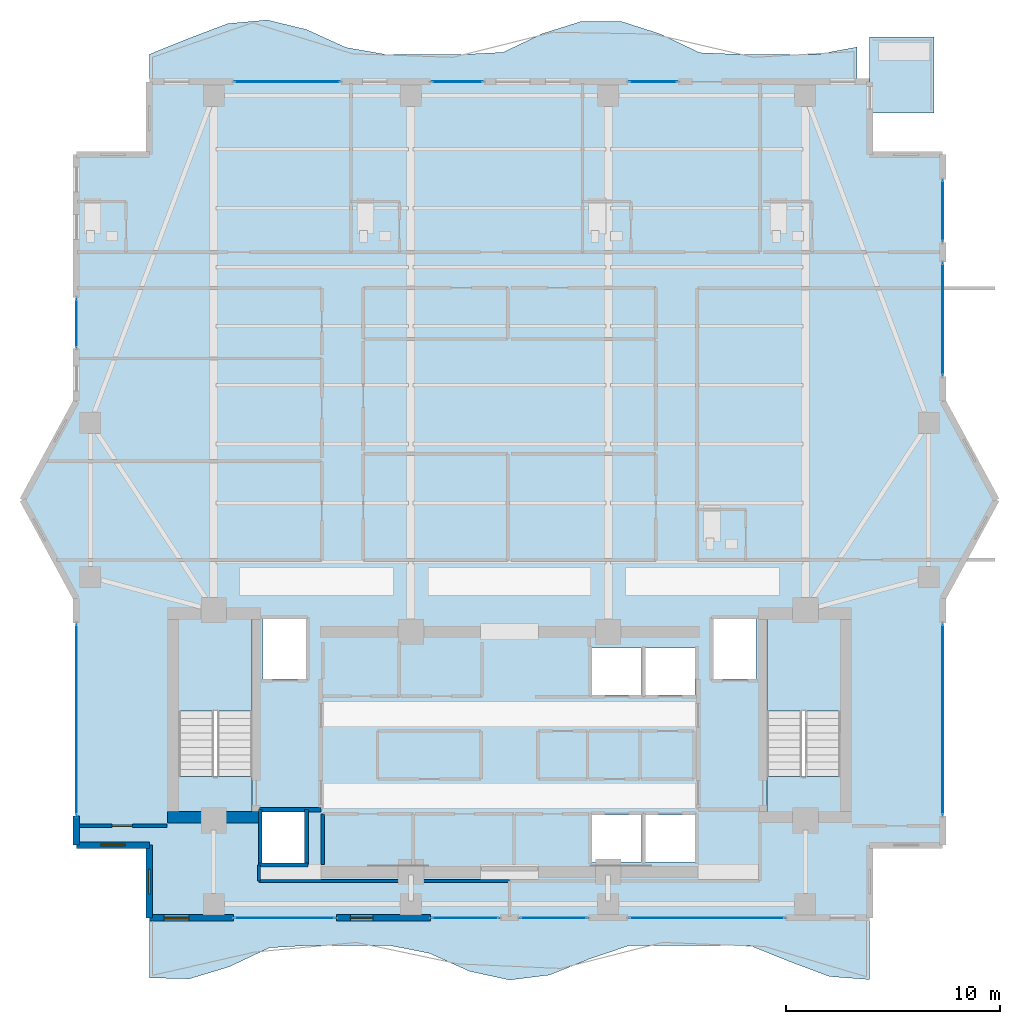
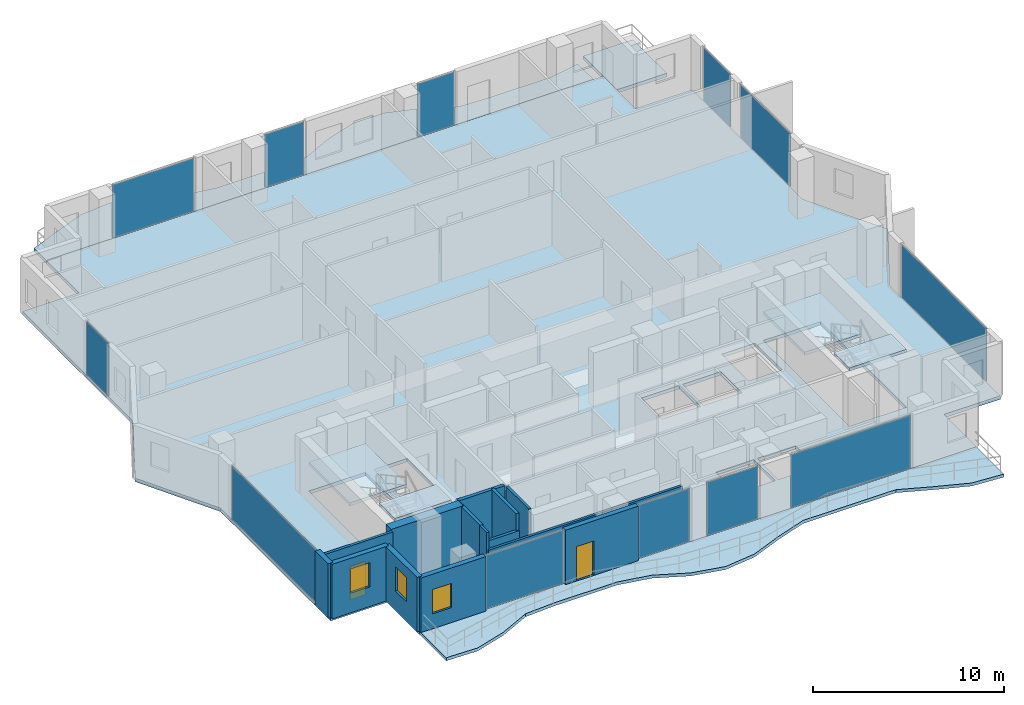
# One storey, part 16 of 24: 14 walls, 12 plates, 8 slabs, 3 windows, 2 doors, 5 openings, 14 elements without a shape of their own.
"""IFC4 building model written with IfcOpenShell, lengths in metres."""

from ifc_helpers import new_model, si_unit, direction, frame, frame_2d, origin, origin_2d, place, context, subcontext, project, spatial, polyline, rectangle, outline, extrude, material, layer, layer_set, type_object, element, fill, aggregate, save


model = new_model("IFC4")

# Units and contexts
model_context = context("Model", 3, precision=1e-05, world=origin(), true_north=direction((0.0, 1.0)))
body_context = subcontext(model_context, "Body", "Model", "MODEL_VIEW")
ifc_project = project(units=[si_unit("LENGTHUNIT", "METRE"), si_unit("AREAUNIT", "SQUARE_METRE"), si_unit("VOLUMEUNIT", "CUBIC_METRE"), si_unit("PLANEANGLEUNIT", "RADIAN"), si_unit("MASSUNIT", "GRAM", prefix="KILO")], contexts=[model_context])

# Site, building, storey
site_placement = place(None, origin())
site = spatial("IfcSite", under=ifc_project, at=site_placement, CompositionType="ELEMENT")
building_placement = place(site_placement, origin())
building = spatial("IfcBuilding", under=site, at=building_placement, Name="Zuhayl Quay Hotel", CompositionType="ELEMENT")
storey_placement = place(building_placement, frame((0.0, 0.0, 269.25)))
storey = spatial("IfcBuildingStorey", under=building, at=storey_placement, Name="L68", CompositionType="ELEMENT", Elevation=269.25)

# Curtain wall, plate
ifc_material_1 = material(Name="Anodised Aluminium 6063-T6", Category="aluminium")
ifc_layer_1 = layer(ifc_material_1, 0.169921875, Name="Anodised Aluminium 6063-T6", Category="aluminium")
ifc_layer_set_1 = layer_set([ifc_layer_1], Name="Anodised Aluminium 6063-T6")
curtain_wall_type = type_object("IfcCurtainWallType", Name="CW_SYS_Z4", PredefinedType="USERDEFINED", material=ifc_layer_set_1)
curtain_wall_1_placement = place(storey_placement, origin())
curtain_wall_1 = element("IfcCurtainWall", 1, at=curtain_wall_1_placement, inside=storey, type_object=curtain_wall_type, Name="L68 Curtain Wall ENV_L68_E02_CW1", ObjectType="UNITISED CURTAIN WALL", PredefinedType="USERDEFINED")
ifc_material_2 = material(Name="Dark Ceramic-Fritted Solar Glass", Category="glass")
ifc_layer_2 = layer(ifc_material_2, 0.035888671875, Name="Dark Ceramic-Fritted Solar Glass", Category="glass")
ifc_layer_set_2 = layer_set([ifc_layer_2], Name="Dark Ceramic-Fritted Solar Glass")
plate_type = type_object("IfcPlateType", Name="PN_DARK_FRIT_Z1", PredefinedType="CURTAIN_PANEL", material=ifc_layer_set_2)
plate_1_placement = place(storey_placement, frame((-20.199951171875, 9.25, 0.054931640625), z_axis=(0.0, 0.0, 1.0), x_axis=(0.0, 1.0, 0.0)))
plate_1 = element("IfcPlate", 2, at=plate_1_placement, type_object=plate_type, Name="CW-Z4 panel 1.1", PredefinedType="CURTAIN_PANEL", context=body_context, shape_type="SweptSolid", body=[
    extrude(rectangle(XDim=8.8701171875, YDim=0.035888671875, at=origin_2d()), origin(), (0.0, 0.0, 1.0), 3.3701171875),
])
aggregate(curtain_wall_1, [plate_1])

curtain_wall_2_placement = place(storey_placement, origin())
curtain_wall_2 = element("IfcCurtainWall", 3, at=curtain_wall_2_placement, inside=storey, type_object=curtain_wall_type, Name="L68 Curtain Wall ENV_L68_E05_CW1", ObjectType="UNITISED CURTAIN WALL", PredefinedType="USERDEFINED")
plate_2_placement = place(storey_placement, frame((-20.199951171875, 27.739990234375, 0.054931640625), z_axis=(0.0, 0.0, 1.0), x_axis=(0.0, 1.0, 0.0)))
plate_2 = element("IfcPlate", 4, at=plate_2_placement, type_object=plate_type, Name="CW-Z4 panel 1.1", PredefinedType="CURTAIN_PANEL", context=body_context, shape_type="SweptSolid", body=[
    extrude(rectangle(XDim=2.25, YDim=0.035888671875, at=origin_2d()), origin(), (0.0, 0.0, 1.0), 3.3701171875),
])
aggregate(curtain_wall_2, [plate_2])

curtain_wall_3_placement = place(storey_placement, origin())
curtain_wall_3 = element("IfcCurtainWall", 5, at=curtain_wall_3_placement, inside=storey, type_object=curtain_wall_type, Name="L68 Curtain Wall ENV_L68_N_CW1", ObjectType="UNITISED CURTAIN WALL", PredefinedType="USERDEFINED")
plate_3_placement = place(storey_placement, frame((-10.364990234375, 39.0, 0.054931640625), z_axis=(0.0, 0.0, 1.0), x_axis=(1.0, 0.0, 0.0)))
plate_3 = element("IfcPlate", 6, at=plate_3_placement, type_object=plate_type, Name="CW-Z4 panel 1.1", PredefinedType="CURTAIN_PANEL", context=body_context, shape_type="SweptSolid", body=[
    extrude(rectangle(XDim=4.89990234375, YDim=0.035888671875, at=origin_2d()), origin(), (0.0, 0.0, 1.0), 3.3701171875),
])
aggregate(curtain_wall_3, [plate_3])

curtain_wall_4_placement = place(storey_placement, origin())
curtain_wall_4 = element("IfcCurtainWall", 7, at=curtain_wall_4_placement, inside=storey, type_object=curtain_wall_type, Name="L68 Curtain Wall ENV_L68_N_CW2", ObjectType="UNITISED CURTAIN WALL", PredefinedType="USERDEFINED")
plate_4_placement = place(storey_placement, frame((-2.43505859375, 39.0, 0.054931640625), z_axis=(0.0, 0.0, 1.0), x_axis=(1.0, 0.0, 0.0)))
plate_4 = element("IfcPlate", 8, at=plate_4_placement, type_object=plate_type, Name="CW-Z4 panel 1.1", PredefinedType="CURTAIN_PANEL", context=body_context, shape_type="SweptSolid", body=[
    extrude(rectangle(XDim=2.360107421875, YDim=0.035888671875, at=origin_2d()), origin(), (0.0, 0.0, 1.0), 3.3701171875),
])
aggregate(curtain_wall_4, [plate_4])

curtain_wall_5_placement = place(storey_placement, origin())
curtain_wall_5 = element("IfcCurtainWall", 9, at=curtain_wall_5_placement, inside=storey, type_object=curtain_wall_type, Name="L68 Curtain Wall ENV_L68_N_CW3", ObjectType="UNITISED CURTAIN WALL", PredefinedType="USERDEFINED")
plate_5_placement = place(storey_placement, frame((6.698974609375, 39.0, 0.054931640625), z_axis=(0.0, 0.0, 1.0), x_axis=(1.0, 0.0, 0.0)))
plate_5 = element("IfcPlate", 10, at=plate_5_placement, type_object=plate_type, Name="CW-Z4 panel 1.1", PredefinedType="CURTAIN_PANEL", context=body_context, shape_type="SweptSolid", body=[
    extrude(rectangle(XDim=2.22802734375, YDim=0.035888671875, at=origin_2d()), origin(), (0.0, 0.0, 1.0), 3.3701171875),
])
aggregate(curtain_wall_5, [plate_5])

curtain_wall_6_placement = place(storey_placement, origin())
curtain_wall_6 = element("IfcCurtainWall", 11, at=curtain_wall_6_placement, inside=storey, type_object=curtain_wall_type, Name="L68 Curtain Wall ENV_L68_E11_CW1", ObjectType="UNITISED CURTAIN WALL", PredefinedType="USERDEFINED")
plate_6_placement = place(storey_placement, frame((20.199951171875, 32.97509765625, 0.054931640625), z_axis=(0.0, 0.0, 1.0), x_axis=(0.0, -1.0, 0.0)))
plate_6 = element("IfcPlate", 12, at=plate_6_placement, type_object=plate_type, Name="CW-Z4 panel 1.1", PredefinedType="CURTAIN_PANEL", context=body_context, shape_type="SweptSolid", body=[
    extrude(rectangle(XDim=2.820068359375, YDim=0.035888671875, at=origin_2d()), origin(), (0.0, 0.0, 1.0), 3.3701171875),
])
aggregate(curtain_wall_6, [plate_6])

curtain_wall_7_placement = place(storey_placement, origin())
curtain_wall_7 = element("IfcCurtainWall", 13, at=curtain_wall_7_placement, inside=storey, type_object=curtain_wall_type, Name="L68 Curtain Wall ENV_L68_E11_CW2", ObjectType="UNITISED CURTAIN WALL", PredefinedType="USERDEFINED")
plate_7_placement = place(storey_placement, frame((20.199951171875, 27.925048828125, 0.054931640625), z_axis=(0.0, 0.0, 1.0), x_axis=(0.0, -1.0, 0.0)))
plate_7 = element("IfcPlate", 14, at=plate_7_placement, type_object=plate_type, Name="CW-Z4 panel 1.1", PredefinedType="CURTAIN_PANEL", context=body_context, shape_type="SweptSolid", body=[
    extrude(rectangle(XDim=5.219970703125, YDim=0.035888671875, at=origin_2d()), origin(), (0.0, 0.0, 1.0), 3.3701171875),
])
aggregate(curtain_wall_7, [plate_7])

curtain_wall_8_placement = place(storey_placement, origin())
curtain_wall_8 = element("IfcCurtainWall", 15, at=curtain_wall_8_placement, inside=storey, type_object=curtain_wall_type, Name="L68 Curtain Wall ENV_L68_E14_CW1", ObjectType="UNITISED CURTAIN WALL", PredefinedType="USERDEFINED")
plate_8_placement = place(storey_placement, frame((20.199951171875, 9.25, 0.054931640625), z_axis=(0.0, 0.0, 1.0), x_axis=(0.0, -1.0, 0.0)))
plate_8 = element("IfcPlate", 16, at=plate_8_placement, type_object=plate_type, Name="CW-Z4 panel 1.1", PredefinedType="CURTAIN_PANEL", context=body_context, shape_type="SweptSolid", body=[
    extrude(rectangle(XDim=8.8701171875, YDim=0.035888671875, at=origin_2d()), origin(), (0.0, 0.0, 1.0), 3.3701171875),
])
aggregate(curtain_wall_8, [plate_8])

curtain_wall_9_placement = place(storey_placement, origin())
curtain_wall_9 = element("IfcCurtainWall", 17, at=curtain_wall_9_placement, inside=storey, type_object=curtain_wall_type, Name="L68 Curtain Wall ENV_L68_S_CW1", ObjectType="UNITISED CURTAIN WALL", PredefinedType="USERDEFINED")
plate_9_placement = place(storey_placement, frame((9.199951171875, 0.0, 0.054931640625), z_axis=(0.0, 0.0, 1.0), x_axis=(-1.0, 0.0, 0.0)))
plate_9 = element("IfcPlate", 18, at=plate_9_placement, type_object=plate_type, Name="CW-Z4 panel 1.1", PredefinedType="CURTAIN_PANEL", context=body_context, shape_type="SweptSolid", body=[
    extrude(rectangle(XDim=7.22998046875, YDim=0.035888671875, at=origin_2d()), origin(), (0.0, 0.0, 1.0), 3.3701171875),
])
aggregate(curtain_wall_9, [plate_9])

curtain_wall_10_placement = place(storey_placement, origin())
curtain_wall_10 = element("IfcCurtainWall", 19, at=curtain_wall_10_placement, inside=storey, type_object=curtain_wall_type, Name="L68 Curtain Wall ENV_L68_S_CW2", ObjectType="UNITISED CURTAIN WALL", PredefinedType="USERDEFINED")
plate_10_placement = place(storey_placement, frame((2.06494140625, 0.0, 0.054931640625), z_axis=(0.0, 0.0, 1.0), x_axis=(-1.0, 0.0, 0.0)))
plate_10 = element("IfcPlate", 20, at=plate_10_placement, type_object=plate_type, Name="CW-Z4 panel 1.1", PredefinedType="CURTAIN_PANEL", context=body_context, shape_type="SweptSolid", body=[
    extrude(rectangle(XDim=3.10009765625, YDim=0.035888671875, at=origin_2d()), origin(), (0.0, 0.0, 1.0), 3.3701171875),
])
aggregate(curtain_wall_10, [plate_10])

curtain_wall_11_placement = place(storey_placement, origin())
curtain_wall_11 = element("IfcCurtainWall", 21, at=curtain_wall_11_placement, inside=storey, type_object=curtain_wall_type, Name="L68 Curtain Wall ENV_L68_S_CW3", ObjectType="UNITISED CURTAIN WALL", PredefinedType="USERDEFINED")
plate_11_placement = place(storey_placement, frame((-2.06494140625, 0.0, 0.054931640625), z_axis=(0.0, 0.0, 1.0), x_axis=(-1.0, 0.0, 0.0)))
plate_11 = element("IfcPlate", 22, at=plate_11_placement, type_object=plate_type, Name="CW-Z4 panel 1.1", PredefinedType="CURTAIN_PANEL", context=body_context, shape_type="SweptSolid", body=[
    extrude(rectangle(XDim=3.10009765625, YDim=0.035888671875, at=origin_2d()), origin(), (0.0, 0.0, 1.0), 3.3701171875),
])
aggregate(curtain_wall_11, [plate_11])

curtain_wall_12_placement = place(storey_placement, origin())
curtain_wall_12 = element("IfcCurtainWall", 23, at=curtain_wall_12_placement, inside=storey, type_object=curtain_wall_type, Name="L68 Curtain Wall ENV_L68_S_CW4", ObjectType="UNITISED CURTAIN WALL", PredefinedType="USERDEFINED")
plate_12_placement = place(storey_placement, frame((-10.4775390625, 0.0, 0.054931640625), z_axis=(0.0, 0.0, 1.0), x_axis=(-1.0, 0.0, 0.0)))
plate_12 = element("IfcPlate", 24, at=plate_12_placement, type_object=plate_type, Name="CW-Z4 panel 1.1", PredefinedType="CURTAIN_PANEL", context=body_context, shape_type="SweptSolid", body=[
    extrude(rectangle(XDim=4.675048828125, YDim=0.035888671875, at=origin_2d()), origin(), (0.0, 0.0, 1.0), 3.3701171875),
])
aggregate(curtain_wall_12, [plate_12])

# Slabs
ifc_material_3 = material(Name="Concrete C45/55", Category="concrete")
ifc_layer_3 = layer(ifc_material_3, 0.195068359375, Name="Concrete C45/55", Category="concrete")
ifc_layer_set_3 = layer_set([ifc_layer_3], Name="Concrete C45/55")
slab_type_1 = type_object("IfcSlabType", Name="SL_BALCONY_195", PredefinedType="FLOOR", material=ifc_layer_set_3)
slab_1_placement = place(storey_placement, frame((0.0, 0.0, -0.195068359375)))
element("IfcSlab", 25, at=slab_1_placement, inside=storey, type_object=slab_type_1, Name="L68 Exterior Rippling Balcony Slab North", PredefinedType="FLOOR", context=body_context, shape_type="SweptSolid", body=[
    extrude(outline(polyline([(-16.800048828125, 39.0), (16.199951171875, 39.0), (16.199951171875, 40.6171875), (14.36669921875, 40.280029296875), (12.533203125, 40.280029296875), (10.699951171875, 40.280029296875), (8.86669921875, 40.358154296875), (7.033203125, 41.23193359375), (5.199951171875, 41.81689453125), (3.36669921875, 41.82275390625), (1.533203125, 41.246337890625), (-0.300048828125, 40.3740234375), (-2.13330078125, 40.280029296875), (-3.966796875, 40.280029296875), (-5.800048828125, 40.280029296875), (-7.63330078125, 40.600830078125), (-9.466796875, 41.436767578125), (-11.300048828125, 41.8818359375), (-13.13330078125, 41.7158203125), (-14.966796875, 41.020751953125), (-16.800048828125, 40.280029296875), (-16.800048828125, 39.0)])), origin(), (0.0, 0.0, 1.0), 0.195068359375),
])
slab_2_placement = place(storey_placement, frame((0.0, 0.0, -0.195068359375)))
element("IfcSlab", 26, at=slab_2_placement, inside=storey, type_object=slab_type_1, Name="L68 Exterior Rippling Balcony Slab South", PredefinedType="FLOOR", context=body_context, shape_type="SweptSolid", body=[
    extrude(outline(polyline([(-16.800048828125, -2.7919921875), (-14.933349609375, -2.8388671875), (-13.066650390625, -2.27490234375), (-11.199951171875, -1.39013671875), (-9.333251953125, -1.280029296875), (-7.466796875, -1.280029296875), (-5.60009765625, -1.280029296875), (-3.7333984375, -1.64990234375), (-1.86669921875, -2.486328125), (0.0, -2.893310546875), (1.86669921875, -2.661376953125), (3.7333984375, -1.909912109375), (5.60009765625, -1.280029296875), (7.466796875, -1.280029296875), (9.333251953125, -1.280029296875), (11.199951171875, -1.280029296875), (13.066650390625, -2.036376953125), (14.933349609375, -2.732421875), (16.800048828125, -2.872802734375), (16.800048828125, 0.0), (-16.800048828125, 0.0), (-16.800048828125, -2.7919921875)])), origin(), (0.0, 0.0, 1.0), 0.195068359375),
])
ifc_layer_4 = layer(ifc_material_3, 0.219970703125, Name="Concrete C45/55", Category="concrete")
ifc_layer_set_4 = layer_set([ifc_layer_4], Name="Concrete C45/55")
slab_type_2 = type_object("IfcSlabType", Name="SL_FLOOR_220", PredefinedType="FLOOR", material=ifc_layer_set_4)
slab_3_placement = place(storey_placement, frame((0.0, 0.0, -0.219970703125)))
element("IfcSlab", 27, at=slab_3_placement, inside=storey, type_object=slab_type_2, Name="L68 Structural Floor Slab", PredefinedType="FLOOR", context=body_context, shape_type="SweptSolid", body=[
    extrude(outline(polyline([(-16.800048828125, 0.0), (16.800048828125, 0.0), (16.800048828125, 3.39990234375), (20.199951171875, 3.39990234375), (20.199951171875, 14.89990234375), (22.699951171875, 19.5), (20.199951171875, 24.10009765625), (20.199951171875, 35.60009765625), (16.800048828125, 35.60009765625), (16.800048828125, 39.0), (-16.800048828125, 39.0), (-16.800048828125, 35.60009765625), (-20.199951171875, 35.60009765625), (-20.199951171875, 24.10009765625), (-22.699951171875, 19.5), (-20.199951171875, 14.89990234375), (-20.199951171875, 3.39990234375), (-16.800048828125, 3.39990234375), (-16.800048828125, 0.0)]), holes=[polyline([(-12.0, 4.949951171875), (-12.0, 13.949951171875), (-15.429931640625, 13.949951171875), (-15.429931640625, 4.949951171875), (-12.0, 4.949951171875)]), polyline([(15.429931640625, 4.949951171875), (15.429931640625, 13.949951171875), (12.0, 13.949951171875), (12.0, 4.949951171875), (15.429931640625, 4.949951171875)]), polyline([(-11.5, 11.14990234375), (-9.5, 11.14990234375), (-9.5, 13.949951171875), (-11.5, 13.949951171875), (-11.5, 11.14990234375)]), polyline([(9.5, 11.14990234375), (11.5, 11.14990234375), (11.5, 13.949951171875), (9.5, 13.949951171875), (9.5, 11.14990234375)]), polyline([(3.85009765625, 2.60009765625), (6.14990234375, 2.60009765625), (6.14990234375, 4.800048828125), (3.85009765625, 4.800048828125), (3.85009765625, 2.60009765625)]), polyline([(6.35009765625, 2.60009765625), (8.64990234375, 2.60009765625), (8.64990234375, 4.800048828125), (6.35009765625, 4.800048828125), (6.35009765625, 2.60009765625)]), polyline([(3.85009765625, 10.39990234375), (6.14990234375, 10.39990234375), (6.14990234375, 12.60009765625), (3.85009765625, 12.60009765625), (3.85009765625, 10.39990234375)]), polyline([(6.35009765625, 10.39990234375), (8.64990234375, 10.39990234375), (8.64990234375, 12.60009765625), (6.35009765625, 12.60009765625), (6.35009765625, 10.39990234375)]), polyline([(-11.550048828125, 2.550048828125), (-9.550048828125, 2.550048828125), (-9.550048828125, 4.949951171875), (-11.550048828125, 4.949951171875), (-11.550048828125, 2.550048828125)])]), origin(), (0.0, 0.0, 1.0), 0.219970703125),
])

# Stair, slabs
stair_type = type_object("IfcStairType", Name="ST_DOGLEG_TOWER", PredefinedType="HALF_TURN_STAIR", material=ifc_material_3)
stair_1_placement = place(storey_placement, origin())
stair_1 = element("IfcStair", 28, at=stair_1_placement, inside=storey, type_object=stair_type, Name="L68 Smokeproof Exit Stair ST1", PredefinedType="HALF_TURN_STAIR")
ifc_layer_5 = layer(ifc_material_3, 0.199951171875, Name="Concrete C45/55", Category="concrete")
ifc_layer_set_5 = layer_set([ifc_layer_5], Name="Concrete C45/55")
slab_type_3 = type_object("IfcSlabType", Name="SL_STAIR_LANDING_200", PredefinedType="LANDING", material=ifc_layer_set_5)
slab_4_placement = place(storey_placement, frame((0.0, 0.0, 1.64990234375)))
slab_4 = element("IfcSlab", 29, at=slab_4_placement, type_object=slab_type_3, Name="ST1 landing 1", PredefinedType="LANDING", context=body_context, shape_type="SweptSolid", body=[
    extrude(outline(polyline([(-12.0, 9.64990234375), (-12.0, 13.949951171875), (-15.429931640625, 13.949951171875), (-15.429931640625, 9.64990234375), (-12.0, 9.64990234375)])), origin(), (0.0, 0.0, 1.0), 0.2001953125),
])
slab_5_placement = place(storey_placement, frame((0.0, 0.0, 3.5)))
slab_5 = element("IfcSlab", 30, at=slab_5_placement, type_object=slab_type_3, Name="ST1 landing 2", PredefinedType="LANDING", context=body_context, shape_type="SweptSolid", body=[
    extrude(outline(polyline([(-12.0, 4.949951171875), (-12.0, 6.590087890625), (-15.429931640625, 6.590087890625), (-15.429931640625, 4.949951171875), (-12.0, 4.949951171875)])), origin(), (0.0, 0.0, 1.0), 0.199951171875),
])
aggregate(stair_1, [slab_4, slab_5])

stair_2_placement = place(storey_placement, origin())
stair_2 = element("IfcStair", 31, at=stair_2_placement, inside=storey, type_object=stair_type, Name="L68 Smokeproof Exit Stair ST2", PredefinedType="HALF_TURN_STAIR")
slab_6_placement = place(storey_placement, frame((0.0, 0.0, 1.64990234375)))
slab_6 = element("IfcSlab", 32, at=slab_6_placement, type_object=slab_type_3, Name="ST2 landing 1", PredefinedType="LANDING", context=body_context, shape_type="SweptSolid", body=[
    extrude(outline(polyline([(15.429931640625, 9.64990234375), (15.429931640625, 13.949951171875), (12.0, 13.949951171875), (12.0, 9.64990234375), (15.429931640625, 9.64990234375)])), origin(), (0.0, 0.0, 1.0), 0.2001953125),
])
slab_7_placement = place(storey_placement, frame((0.0, 0.0, 3.5)))
slab_7 = element("IfcSlab", 33, at=slab_7_placement, type_object=slab_type_3, Name="ST2 landing 2", PredefinedType="LANDING", context=body_context, shape_type="SweptSolid", body=[
    extrude(outline(polyline([(15.429931640625, 4.949951171875), (15.429931640625, 6.590087890625), (12.0, 6.590087890625), (12.0, 4.949951171875), (15.429931640625, 4.949951171875)])), origin(), (0.0, 0.0, 1.0), 0.199951171875),
])
aggregate(stair_2, [slab_6, slab_7])

# Slab
ifc_layer_6 = layer(ifc_material_3, 0.219970703125, Name="Concrete C45/55", Category="concrete")
ifc_layer_set_6 = layer_set([ifc_layer_6], Name="Concrete C45/55")
slab_type_4 = type_object("IfcSlabType", Name="SL_TERRACE_235", PredefinedType="FLOOR", material=ifc_layer_set_6)
slab_8_placement = place(storey_placement, frame((0.0, 0.0, -0.219970703125)))
element("IfcSlab", 34, at=slab_8_placement, inside=storey, type_object=slab_type_4, Name="L68 Exterior Sky-Terrace Slab L68_SPIRAL_NE", PredefinedType="FLOOR", context=body_context, shape_type="SweptSolid", body=[
    extrude(outline(polyline([(16.800048828125, 37.550048828125), (19.800048828125, 37.550048828125), (19.800048828125, 41.10009765625), (16.800048828125, 41.10009765625), (16.800048828125, 37.550048828125)])), origin(), (0.0, 0.0, 1.0), 0.219970703125),
])

# Wall
ifc_material_4 = material(Name="Concrete C50/60", Category="concrete")
ifc_layer_7 = layer(ifc_material_4, 0.550048828125, Name="Concrete C50/60", Category="concrete")
ifc_layer_set_7 = layer_set([ifc_layer_7], Name="Concrete C50/60")
wall_type_1 = type_object("IfcWallType", Name="WL_CORE_550", PredefinedType="SHEAR", material=ifc_layer_set_7)
wall_1_placement = place(storey_placement, frame((-15.9599609375, 4.695068359375, 0.0), z_axis=(0.0, 0.0, 1.0), x_axis=(1.0, 0.0, 0.0)))
element("IfcWall", 35, at=wall_1_placement, inside=storey, type_object=wall_type_1, Name="L68 Core Shear Wall CW_SW", PredefinedType="SHEAR", context=body_context, shape_type="SweptSolid", body=[
    extrude(rectangle(XDim=4.35986328125, YDim=0.550048828125, at=frame_2d((2.179931640625, 0.0))), origin(), (0.0, 0.0, 1.0), 3.510009765625),
])

# Wall, opening, window
ifc_material_5 = material(Name="Precast concrete C45/55", Category="concrete")
ifc_layer_8 = layer(ifc_material_5, 0.300048828125, Name="Precast concrete C45/55", Category="concrete")
ifc_layer_set_8 = layer_set([ifc_layer_8], Name="Precast concrete C45/55")
wall_type_2 = type_object("IfcWallType", Name="WL_EXT_300", PredefinedType="STANDARD", material=ifc_layer_set_8)
wall_2_placement = place(storey_placement, frame((-16.800048828125, 3.39990234375, 0.0), z_axis=(0.0, 0.0, 1.0), x_axis=(-1.0, 0.0, 0.0)))
wall_2 = element("IfcWall", 36, at=wall_2_placement, inside=storey, type_object=wall_type_2, Name="L68 Exterior Precast Wall ENV_L68_EW01", PredefinedType="STANDARD", context=body_context, shape_type="SweptSolid", body=[
    extrude(rectangle(XDim=3.39990234375, YDim=0.300048828125, at=frame_2d((1.699951171875, 0.0))), origin(), (0.0, 0.0, 1.0), 3.47998046875),
])
opening_1_placement = place(wall_2_placement, frame((1.125, 0.0, 1.25)))
opening_1 = element("IfcOpeningElement", 37, at=opening_1_placement, cuts=wall_2, Name="Opening W01N", PredefinedType="OPENING", context=body_context, shape_type="SweptSolid", body=[
    extrude(rectangle(XDim=1.14990234375, YDim=1.550048828125, at=frame_2d((0.574951171875, 0.77490234375))), frame((0.0, 0.159912109375, 0.0), z_axis=(0.0, -1.0, 0.0), x_axis=(1.0, 0.0, 0.0)), (0.0, 0.0, 1.0), 0.320068359375),
])
window_type = type_object("IfcWindowType", Name="WN_NOTCH_1350", PartitioningType="SINGLE_PANEL", PredefinedType="WINDOW", material=ifc_material_2)
window_1_placement = place(opening_1_placement, origin())
window_1 = element("IfcWindow", 38, at=window_1_placement, inside=storey, type_object=window_type, Name="L68 Corner Notch Window 1", OverallHeight=1.550048828125, OverallWidth=1.14990234375, PartitioningType="SINGLE_PANEL", PredefinedType="WINDOW", context=body_context, shape_type="SweptSolid", body=[
    extrude(rectangle(XDim=1.14990234375, YDim=1.550048828125, at=frame_2d((0.574951171875, 0.77490234375))), frame((0.0, 0.030029296875, 0.0), z_axis=(0.0, -1.0, 0.0), x_axis=(1.0, 0.0, 0.0)), (0.0, 0.0, 1.0), 0.06005859375),
])
fill(opening_1, window_1)

# Wall
wall_3_placement = place(storey_placement, frame((-20.199951171875, 3.39990234375, 0.0), z_axis=(0.0, 0.0, 1.0), x_axis=(0.0, 1.0, 0.0)))
element("IfcWall", 39, at=wall_3_placement, inside=storey, type_object=wall_type_2, Name="L68 Exterior Precast Wall ENV_L68_E02_EW1", PredefinedType="STANDARD", context=body_context, shape_type="SweptSolid", body=[
    extrude(rectangle(XDim=1.35009765625, YDim=0.300048828125, at=frame_2d((0.675048828125, 0.0))), origin(), (0.0, 0.0, 1.0), 3.47998046875),
])

# Wall, opening, door
wall_4_placement = place(storey_placement, frame((-3.679931640625, 0.0, 0.0), z_axis=(0.0, 0.0, 1.0), x_axis=(-1.0, 0.0, 0.0)))
wall_4 = element("IfcWall", 40, at=wall_4_placement, inside=storey, type_object=wall_type_2, Name="L68 Exterior Precast Wall ENV_L68_S_EW4", PredefinedType="STANDARD", context=body_context, shape_type="SweptSolid", body=[
    extrude(rectangle(XDim=4.39501953125, YDim=0.300048828125, at=frame_2d((2.197509765625, 0.0))), origin(), (0.0, 0.0, 1.0), 3.47998046875),
])
opening_2_placement = place(wall_4_placement, frame((2.695068359375, 0.0, 0.0)))
opening_2 = element("IfcOpeningElement", 41, at=opening_2_placement, cuts=wall_4, Name="Opening DG1", PredefinedType="OPENING", context=body_context, shape_type="SweptSolid", body=[
    extrude(rectangle(XDim=1.050048828125, YDim=2.199951171875, at=frame_2d((0.52490234375, 1.10009765625))), frame((0.0, 0.159912109375, 0.0), z_axis=(0.0, -1.0, 0.0), x_axis=(1.0, 0.0, 0.0)), (0.0, 0.0, 1.0), 0.320068359375),
])
ifc_material_6 = material(Name="Anodised Aluminium and Dark Solar Glass", Category="aluminium")
door_type_1 = type_object("IfcDoorType", Name="DR_EXT_TERR_1050", OperationType="NOTDEFINED", PredefinedType="DOOR", material=ifc_material_6)
door_1_placement = place(opening_2_placement, origin())
door_1 = element("IfcDoor", 42, at=door_1_placement, inside=storey, type_object=door_type_1, Name="L68 South Rippling Balcony Door", OperationType="SINGLE_SWING_RIGHT", OverallHeight=2.199951171875, OverallWidth=1.050048828125, PredefinedType="DOOR", context=body_context, shape_type="SweptSolid", body=[
    extrude(rectangle(XDim=1.050048828125, YDim=2.199951171875, at=frame_2d((0.52490234375, 1.10009765625))), frame((0.0, 0.02490234375, 0.0), z_axis=(0.0, -1.0, 0.0), x_axis=(1.0, 0.0, 0.0)), (0.0, 0.0, 1.0), 0.050048828125),
])
fill(opening_2, door_1)

# Wall, opening, window
wall_5_placement = place(storey_placement, frame((-12.8798828125, 0.0, 0.0), z_axis=(0.0, 0.0, 1.0), x_axis=(-1.0, 0.0, 0.0)))
wall_5 = element("IfcWall", 43, at=wall_5_placement, inside=storey, type_object=wall_type_2, Name="L68 Exterior Precast Wall ENV_L68_S_EW5", PredefinedType="STANDARD", context=body_context, shape_type="SweptSolid", body=[
    extrude(rectangle(XDim=3.920166015625, YDim=0.300048828125, at=frame_2d((1.9599609375, 0.0))), origin(), (0.0, 0.0, 1.0), 3.47998046875),
])
opening_3_placement = place(wall_5_placement, frame((2.074951171875, 0.0, 0.949951171875)))
opening_3 = element("IfcOpeningElement", 44, at=opening_3_placement, cuts=wall_5, Name="Opening W01N", PredefinedType="OPENING", context=body_context, shape_type="SweptSolid", body=[
    extrude(rectangle(XDim=1.14990234375, YDim=1.550048828125, at=frame_2d((0.574951171875, 0.77490234375))), frame((0.0, 0.159912109375, 0.0), z_axis=(0.0, -1.0, 0.0), x_axis=(1.0, 0.0, 0.0)), (0.0, 0.0, 1.0), 0.320068359375),
])
window_2_placement = place(opening_3_placement, origin())
window_2 = element("IfcWindow", 45, at=window_2_placement, inside=storey, type_object=window_type, Name="L68 Operable Facade Window 5-1", OverallHeight=1.550048828125, OverallWidth=1.14990234375, PartitioningType="SINGLE_PANEL", PredefinedType="WINDOW", context=body_context, shape_type="SweptSolid", body=[
    extrude(rectangle(XDim=1.14990234375, YDim=1.550048828125, at=frame_2d((0.574951171875, 0.77490234375))), frame((0.0, 0.030029296875, 0.0), z_axis=(0.0, -1.0, 0.0), x_axis=(1.0, 0.0, 0.0)), (0.0, 0.0, 1.0), 0.06005859375),
])
fill(opening_3, window_2)

wall_6_placement = place(storey_placement, frame((-16.800048828125, 0.0, 0.0), z_axis=(0.0, 0.0, 1.0), x_axis=(0.0, 1.0, 0.0)))
wall_6 = element("IfcWall", 46, at=wall_6_placement, inside=storey, type_object=wall_type_2, Name="L68 Exterior Precast Wall ENV_L68_EW18", PredefinedType="STANDARD", context=body_context, shape_type="SweptSolid", body=[
    extrude(rectangle(XDim=3.39990234375, YDim=0.300048828125, at=frame_2d((1.699951171875, 0.0))), origin(), (0.0, 0.0, 1.0), 3.47998046875),
])
opening_4_placement = place(wall_6_placement, frame((1.125, 0.0, 1.25)))
opening_4 = element("IfcOpeningElement", 47, at=opening_4_placement, cuts=wall_6, Name="Opening W01N", PredefinedType="OPENING", context=body_context, shape_type="SweptSolid", body=[
    extrude(rectangle(XDim=1.14990234375, YDim=1.550048828125, at=frame_2d((0.574951171875, 0.77490234375))), frame((0.0, 0.159912109375, 0.0), z_axis=(0.0, -1.0, 0.0), x_axis=(1.0, 0.0, 0.0)), (0.0, 0.0, 1.0), 0.320068359375),
])
window_3_placement = place(opening_4_placement, origin())
window_3 = element("IfcWindow", 48, at=window_3_placement, inside=storey, type_object=window_type, Name="L68 Corner Notch Window 18", OverallHeight=1.550048828125, OverallWidth=1.14990234375, PartitioningType="SINGLE_PANEL", PredefinedType="WINDOW", context=body_context, shape_type="SweptSolid", body=[
    extrude(rectangle(XDim=1.14990234375, YDim=1.550048828125, at=frame_2d((0.574951171875, 0.77490234375))), frame((0.0, 0.030029296875, 0.0), z_axis=(0.0, -1.0, 0.0), x_axis=(1.0, 0.0, 0.0)), (0.0, 0.0, 1.0), 0.06005859375),
])
fill(opening_4, window_3)

# Walls
ifc_material_7 = material(Name="Acoustic Gypsum Partition STC-58")
ifc_layer_9 = layer(ifc_material_7, 0.14990234375, Name="Acoustic Gypsum Partition STC-58")
ifc_layer_set_9 = layer_set([ifc_layer_9], Name="Acoustic Gypsum Partition STC-58")
wall_type_3 = type_object("IfcWallType", Name="WL_PART_150", PredefinedType="PARTITIONING", material=ifc_layer_set_9)
wall_7_placement = place(storey_placement, frame((-8.7099609375, 2.489990234375, 0.0), z_axis=(0.0, 0.0, 1.0), x_axis=(0.0, 1.0, 0.0)))
element("IfcWall", 49, at=wall_7_placement, inside=storey, type_object=wall_type_3, Name="L68 Partition IW_L68_FMP_S1_W", PredefinedType="PARTITIONING", context=body_context, shape_type="SweptSolid", body=[
    extrude(rectangle(XDim=2.3701171875, YDim=0.14990234375, at=frame_2d((1.18505859375, 0.0))), origin(), (0.0, 0.0, 1.0), 3.47998046875),
])
wall_8_placement = place(storey_placement, frame((-11.679931640625, 1.719970703125, 0.0), z_axis=(0.0, 0.0, 1.0), x_axis=(0.0, 1.0, 0.0)))
element("IfcWall", 50, at=wall_8_placement, inside=storey, type_object=wall_type_3, Name="L68 Partition IW_L68_Z4_SUN_SW_IN", PredefinedType="PARTITIONING", context=body_context, shape_type="SweptSolid", body=[
    extrude(rectangle(XDim=0.75, YDim=0.14990234375, at=frame_2d((0.375, 0.0))), origin(), (0.0, 0.0, 1.0), 3.47998046875),
])
wall_9_placement = place(storey_placement, frame((-11.679931640625, 1.719970703125, 0.0), z_axis=(0.0, 0.0, 1.0), x_axis=(1.0, 0.0, 0.0)))
element("IfcWall", 51, at=wall_9_placement, inside=storey, type_object=wall_type_3, Name="L68 Partition IW_L68_Z4_SUN_SW_SN", PredefinedType="PARTITIONING", context=body_context, shape_type="SweptSolid", body=[
    extrude(rectangle(XDim=11.679931640625, YDim=0.14990234375, at=frame_2d((5.83984375, 0.0))), origin(), (0.0, 0.0, 1.0), 2.3798828125),
])

# Wall, opening, door
ifc_layer_10 = layer(ifc_material_7, 0.159912109375, Name="Acoustic Gypsum Partition STC-58")
ifc_layer_set_10 = layer_set([ifc_layer_10], Name="Acoustic Gypsum Partition STC-58")
wall_type_4 = type_object("IfcWallType", Name="WL_PART_CORR_160", PredefinedType="PARTITIONING", material=ifc_layer_set_10)
wall_10_placement = place(storey_placement, frame((-20.139892578125, 4.300048828125, 0.0), z_axis=(0.0, 0.0, 1.0), x_axis=(1.0, 0.0, 0.0)))
wall_10 = element("IfcWall", 52, at=wall_10_placement, inside=storey, type_object=wall_type_4, Name="L68 Partition IW_L68_Z4_SUN_SW_N", PredefinedType="PARTITIONING", context=body_context, shape_type="SweptSolid", body=[
    extrude(rectangle(XDim=4.159912109375, YDim=0.159912109375, at=frame_2d((2.080078125, 0.0))), origin(), (0.0, 0.0, 1.0), 3.47998046875),
])
opening_5_placement = place(wall_10_placement, frame((1.60498046875, 0.0, 0.0)))
opening_5 = element("IfcOpeningElement", 53, at=opening_5_placement, cuts=wall_10, Name="Opening D03", PredefinedType="OPENING", context=body_context, shape_type="SweptSolid", body=[
    extrude(rectangle(XDim=0.949951171875, YDim=2.14990234375, at=frame_2d((0.47509765625, 1.074951171875))), frame((0.0, 0.08984375, 0.0), z_axis=(0.0, -1.0, 0.0), x_axis=(1.0, 0.0, 0.0)), (0.0, 0.0, 1.0), 0.179931640625),
])
ifc_material_8 = material(Name="Solid Walnut Acoustic Fire Door")
door_type_2 = type_object("IfcDoorType", Name="DR_SUITE_950", OperationType="NOTDEFINED", PredefinedType="DOOR", material=ifc_material_8)
door_2_placement = place(opening_5_placement, origin())
door_2 = element("IfcDoor", 54, at=door_2_placement, inside=storey, type_object=door_type_2, Name="L68 Sunset Salon SW Door", OperationType="SINGLE_SWING_RIGHT", OverallHeight=2.14990234375, OverallWidth=0.949951171875, PredefinedType="DOOR", context=body_context, shape_type="SweptSolid", body=[
    extrude(rectangle(XDim=0.949951171875, YDim=2.14990234375, at=frame_2d((0.47509765625, 1.074951171875))), frame((0.0, 0.02490234375, 0.0), z_axis=(0.0, -1.0, 0.0), x_axis=(1.0, 0.0, 0.0)), (0.0, 0.0, 1.0), 0.050048828125),
])
fill(opening_5, door_2)

# Walls
ifc_material_9 = material(Name="Gypsum Fireboard Assembly EI-90")
ifc_layer_11 = layer(ifc_material_9, 0.1650390625, Name="Gypsum Fireboard Assembly EI-90")
ifc_layer_set_11 = layer_set([ifc_layer_11], Name="Gypsum Fireboard Assembly EI-90")
wall_type_5 = type_object("IfcWallType", Name="WL_PART_SHAFT_160", PredefinedType="PARTITIONING", material=ifc_layer_set_11)
wall_11_placement = place(storey_placement, frame((-11.6298828125, 2.469970703125, 0.0), z_axis=(0.0, 0.0, 1.0), x_axis=(0.0, 1.0, 0.0)))
element("IfcWall", 55, at=wall_11_placement, inside=storey, type_object=wall_type_5, Name="L68 Partition IW_L68_RISER_W", PredefinedType="PARTITIONING", context=body_context, shape_type="SweptSolid", body=[
    extrude(rectangle(XDim=2.580078125, YDim=0.1650390625, at=frame_2d((1.2900390625, 0.0))), origin(), (0.0, 0.0, 1.0), 3.47998046875),
])
wall_12_placement = place(storey_placement, frame((-11.7099609375, 2.469970703125, 0.0), z_axis=(0.0, 0.0, 1.0), x_axis=(1.0, 0.0, 0.0)))
element("IfcWall", 56, at=wall_12_placement, inside=storey, type_object=wall_type_5, Name="L68 Partition IW_L68_RISER_S", PredefinedType="PARTITIONING", context=body_context, shape_type="SweptSolid", body=[
    extrude(rectangle(XDim=2.31005859375, YDim=0.1650390625, at=frame_2d((1.155029296875, 0.0))), origin(), (0.0, 0.0, 1.0), 2.3798828125),
])
ifc_layer_12 = layer(ifc_material_9, 0.179931640625, Name="Gypsum Fireboard Assembly EI-90")
ifc_layer_set_12 = layer_set([ifc_layer_12], Name="Gypsum Fireboard Assembly EI-90")
wall_type_6 = type_object("IfcWallType", Name="WL_PART_SHAFT_180", PredefinedType="PARTITIONING", material=ifc_layer_set_12)
wall_13_placement = place(storey_placement, frame((-9.469970703125, 2.449951171875, 0.0), z_axis=(0.0, 0.0, 1.0), x_axis=(0.0, 1.0, 0.0)))
element("IfcWall", 57, at=wall_13_placement, inside=storey, type_object=wall_type_6, Name="L68 Partition IW_L68_RISER_E", PredefinedType="PARTITIONING", context=body_context, shape_type="SweptSolid", body=[
    extrude(rectangle(XDim=2.60009765625, YDim=0.179931640625, at=frame_2d((1.300048828125, 0.0))), origin(), (0.0, 0.0, 1.0), 3.47998046875),
])
ifc_material_10 = material(Name="Gypsum Fireboard Assembly EI-120")
ifc_layer_13 = layer(ifc_material_10, 0.199951171875, Name="Gypsum Fireboard Assembly EI-120")
ifc_layer_set_13 = layer_set([ifc_layer_13], Name="Gypsum Fireboard Assembly EI-120")
wall_type_7 = type_object("IfcWallType", Name="WL_PART_SHAFT_200", PredefinedType="PARTITIONING", material=ifc_layer_set_13)
wall_14_placement = place(storey_placement, frame((-11.64990234375, 5.050048828125, 0.0), z_axis=(0.0, 0.0, 1.0), x_axis=(1.0, 0.0, 0.0)))
element("IfcWall", 58, at=wall_14_placement, inside=storey, type_object=wall_type_7, Name="L68 Partition IW_L68_FSAE_W_S", PredefinedType="PARTITIONING", context=body_context, shape_type="SweptSolid", body=[
    extrude(rectangle(XDim=2.849853515625, YDim=0.199951171875, at=frame_2d((1.4248046875, 0.0))), origin(), (0.0, 0.0, 1.0), 3.47998046875),
])

save(model, "model.ifc")
